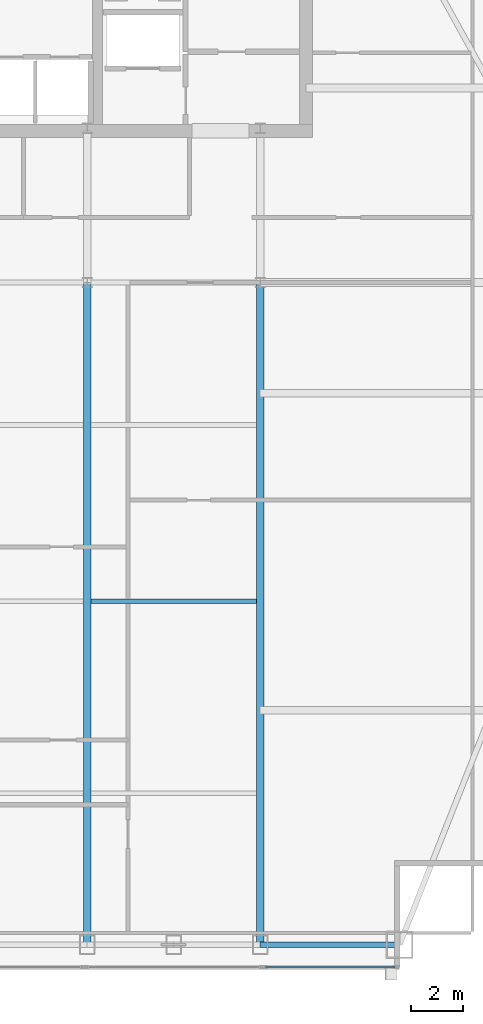
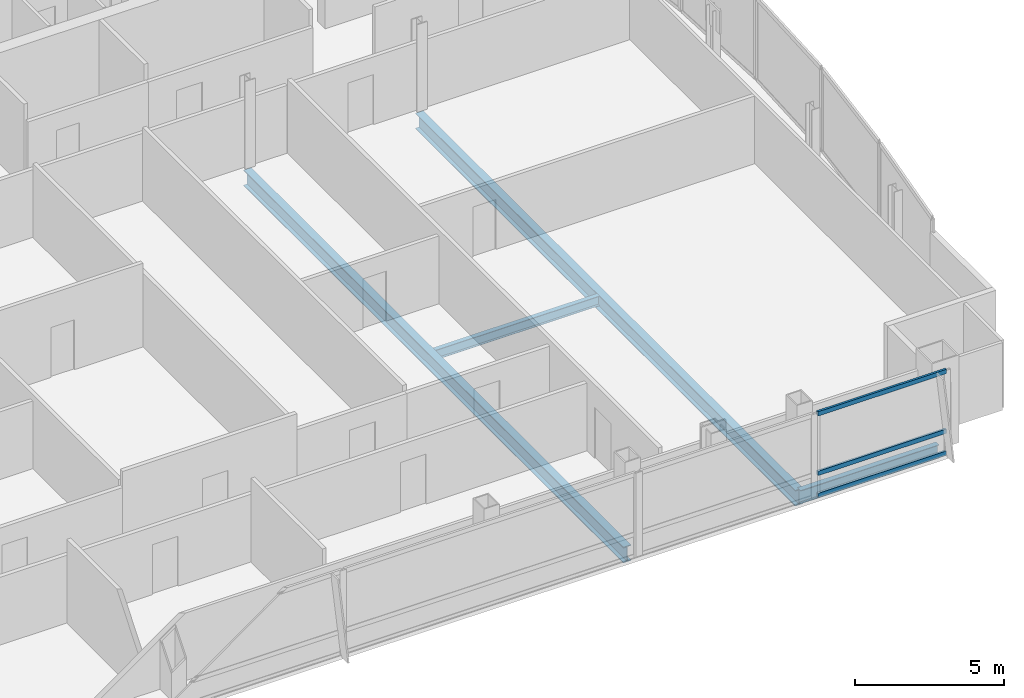
# One storey, part 15 of 30: 4 beams, 3 members, 1 element without a shape of its own.
"""IFC4 building model written with IfcOpenShell, lengths in metres."""

import ifcopenshell
import ifcopenshell.guid

model = None  # the IFC model being written
_history = None  # IfcOwnerHistory: only IFC2X3 demands one
_inside = {}  # id of a spatial element -> (the spatial element, [elements in it])
_under = {}  # id of a project, library or spatial element -> (it, [spatial elements below it])
_declared = {}  # id of a project -> (the project, [libraries it declares])
_typed = {}  # id of a type object -> (the type object, [elements of that type])
_made_of = {}  # id of a material, layer set ... -> (it, [elements and type objects made of it])


def new_model(schema):
    """Start an empty IFC model of exactly this schema.

    Asked for "IFC4X3", IfcOpenShell would pick the latest addendum, in which some entities
    have other attributes; the version numbers below select the first issue.
    IFC2X3 requires an IfcOwnerHistory on every rooted entity: one is made here for all.
    """
    global model, _history
    if schema == "IFC4X3":
        model = ifcopenshell.file(schema_version=(4, 3, 0, 0))
    else:
        model = ifcopenshell.file(schema=schema)
    _inside.clear()
    _under.clear()
    _declared.clear()
    _typed.clear()
    _made_of.clear()
    _history = None
    if model.schema == "IFC2X3":
        org = make("IfcOrganization", Name="unknown")
        user = make(
            "IfcPersonAndOrganization",
            ThePerson=make("IfcPerson", FamilyName="unknown"),
            TheOrganization=org,
        )
        app = make(
            "IfcApplication",
            ApplicationDeveloper=org,
            Version="unknown",
            ApplicationFullName="unknown",
            ApplicationIdentifier="unknown",
        )
        _history = make(
            "IfcOwnerHistory",
            OwningUser=user,
            OwningApplication=app,
            ChangeAction="ADDED",
            CreationDate=0,
        )
    return model


def make(cls, **values):
    """One entity of the class cls with the attributes given. An attribute that is None is left unset."""
    return model.create_entity(
        cls, **{name: value for name, value in values.items() if value is not None}
    )


def rooted(cls, **values):
    """An entity with a GlobalId (a new one), such as an element, a storey or a relation."""
    return make(cls, GlobalId=ifcopenshell.guid.new(), OwnerHistory=_history, **values)


def si_unit(unit_type, name, prefix=None):
    """IfcSIUnit, for example si_unit("LENGTHUNIT", "METRE", prefix="MILLI")."""
    return make("IfcSIUnit", UnitType=unit_type, Prefix=prefix, Name=name)


def assignment(units):
    """IfcUnitAssignment: the units of a project."""
    return None if units is None else make("IfcUnitAssignment", Units=units)


def point(xyz):
    """IfcCartesianPoint."""
    return None if xyz is None else make("IfcCartesianPoint", Coordinates=xyz)


def direction(xyz):
    """IfcDirection."""
    return None if xyz is None else make("IfcDirection", DirectionRatios=xyz)


def frame(location, z_axis=None, x_axis=None):
    """IfcAxis2Placement3D, a coordinate frame: its origin and axes. An axis left out is left unset."""
    return make(
        "IfcAxis2Placement3D",
        Location=point(location),
        Axis=direction(z_axis),
        RefDirection=direction(x_axis),
    )


def frame_2d(location, x_axis=None):
    """IfcAxis2Placement2D, a coordinate frame in the plane: its origin and x axis."""
    return make(
        "IfcAxis2Placement2D", Location=point(location), RefDirection=direction(x_axis)
    )


def origin():
    """The frame at (0, 0, 0) with its axes left unset."""
    return frame((0.0, 0.0, 0.0))


def origin_2d():
    """The frame at (0, 0) in the plane with its x axis left unset."""
    return frame_2d((0.0, 0.0))


def place(relative_to, where):
    """IfcLocalPlacement: puts the frame where relative to a parent placement (None: the world)."""
    return make(
        "IfcLocalPlacement", PlacementRelTo=relative_to, RelativePlacement=where
    )


def context(
    kind, dimensions, precision=None, world=None, true_north=None, identifier=None
):
    """IfcGeometricRepresentationContext, for example the 3D "Model" context."""
    return make(
        "IfcGeometricRepresentationContext",
        ContextIdentifier=identifier,
        ContextType=kind,
        CoordinateSpaceDimension=dimensions,
        Precision=precision,
        WorldCoordinateSystem=world,
        TrueNorth=true_north,
    )


def subcontext(parent, identifier, kind, view, scale=None):
    """IfcGeometricRepresentationSubContext, for example "Body" below "Model"."""
    return make(
        "IfcGeometricRepresentationSubContext",
        ContextIdentifier=identifier,
        ContextType=kind,
        ParentContext=parent,
        TargetScale=scale,
        TargetView=view,
    )


def project(units=None, contexts=None):
    """IfcProject with its units and contexts."""
    return rooted(
        "IfcProject",
        Name="project",
        RepresentationContexts=contexts,
        UnitsInContext=assignment(units),
    )


def spatial(cls, under=None, at=None, **own):
    """A site, building, storey or space (cls), placed at a placement, below another one or the project."""
    s = rooted(cls, ObjectPlacement=at, **own)
    if under is not None:
        _under.setdefault(under.id(), (under, []))[1].append(s)
    return s


def profile(cls, at=None, kind="AREA", **sizes):
    """A parametric profile (cls). Its sizes go by their IFC names, for example OverallWidth=200.0."""
    return make(cls, ProfileType=kind, Position=at, **sizes)


def hollow_rectangle(**sizes):
    """IfcRectangleHollowProfileDef."""
    return profile("IfcRectangleHollowProfileDef", **sizes)


def i_section(**sizes):
    """IfcIShapeProfileDef."""
    return profile("IfcIShapeProfileDef", **sizes)


def extrude(swept, where, along, depth):
    """IfcExtrudedAreaSolid: the profile swept, set in the frame where, extruded along a direction by depth."""
    return make(
        "IfcExtrudedAreaSolid",
        SweptArea=swept,
        Position=where,
        ExtrudedDirection=direction(along),
        Depth=depth,
    )


def shape(context_of_items, identifier, shape_type, items):
    """IfcShapeRepresentation: the items that make up one representation, for example the "Body"."""
    return make(
        "IfcShapeRepresentation",
        ContextOfItems=context_of_items,
        RepresentationIdentifier=identifier,
        RepresentationType=shape_type,
        Items=items,
    )


def material(Name=None, Category=None):
    """IfcMaterial."""
    return make("IfcMaterial", Name=Name, Category=Category)


def material_profile(
    of_material, cross_section, Name=None, Category=None, Priority=None
):
    """IfcMaterialProfile: a cross section and its material."""
    return make(
        "IfcMaterialProfile",
        Name=Name,
        Material=of_material,
        Profile=cross_section,
        Priority=Priority,
        Category=Category,
    )


def profile_set(profiles, Name=None, composite=None):
    """IfcMaterialProfileSet."""
    return make(
        "IfcMaterialProfileSet",
        Name=Name,
        MaterialProfiles=profiles,
        CompositeProfile=composite,
    )


def made_of(thing, what):
    """Note that an element or type object is made of a material, layer set ...; save() writes the relation."""
    if what is not None:
        _made_of.setdefault(what.id(), (what, []))[1].append(thing)
    return thing


def type_object(cls, material=None, **own):
    """A type object (cls), such as IfcWallType, which elements share."""
    return made_of(rooted(cls, **own), material)


def element(
    cls,
    number,
    at=None,
    inside=None,
    cuts=None,
    type_object=None,
    material=None,
    context=None,
    identifier="Body",
    shape_type=None,
    held_by="IfcProductDefinitionShape",
    body=None,
    shapes=None,
    **own,
):
    """One element of the class cls, such as IfcWall. Its Tag is "e" and its number.

    at: its placement. inside: the storey or other place that contains it. cuts: it is an
    opening in that element (IfcRelVoidsElement). A single representation is given by context,
    identifier, shape_type and body (its items); several are given by shapes. held_by: the class
    of the entity that holds the representations. save() writes the other relations.
    """
    e = rooted(cls, Tag="e%d" % number, ObjectPlacement=at, **own)
    if body is not None:
        shapes = [shape(context, identifier, shape_type, body)]
    if shapes is not None:
        e.Representation = make(held_by, Representations=shapes)
    if inside is not None:
        _inside.setdefault(inside.id(), (inside, []))[1].append(e)
    if cuts is not None:
        rooted(
            "IfcRelVoidsElement", RelatingBuildingElement=cuts, RelatedOpeningElement=e
        )
    if type_object is not None:
        _typed.setdefault(type_object.id(), (type_object, []))[1].append(e)
    return made_of(e, material)


def aggregate(whole, parts):
    """IfcRelAggregates: a whole, such as a stair, and the parts it consists of."""
    return rooted("IfcRelAggregates", RelatingObject=whole, RelatedObjects=parts)


def save(model, path):
    """Write the relations noted so far, then the file.

    IfcRelAggregates (storeys below a building ...), IfcRelContainedInSpatialStructure (elements
    in a storey), IfcRelDefinesByType, IfcRelAssociatesMaterial and IfcRelDeclares: one each for
    every whole, place, type object, material and project.
    """
    for whole, parts in _under.values():
        aggregate(whole, parts)
    for where, things in _inside.values():
        rooted(
            "IfcRelContainedInSpatialStructure",
            RelatedElements=things,
            RelatingStructure=where,
        )
    for kind, things in _typed.values():
        rooted("IfcRelDefinesByType", RelatedObjects=things, RelatingType=kind)
    for what, things in _made_of.values():
        rooted("IfcRelAssociatesMaterial", RelatedObjects=things, RelatingMaterial=what)
    for by, libraries in _declared.values():
        rooted("IfcRelDeclares", RelatingContext=by, RelatedDefinitions=libraries)
    model.write(path)


model = new_model("IFC4")

# Units and contexts
model_context = context("Model", 3, precision=1e-05, world=origin(), true_north=direction((0.0, 1.0)))
body_context = subcontext(model_context, "Body", "Model", "MODEL_VIEW")
ifc_project = project(units=[si_unit("LENGTHUNIT", "METRE"), si_unit("AREAUNIT", "SQUARE_METRE"), si_unit("VOLUMEUNIT", "CUBIC_METRE"), si_unit("PLANEANGLEUNIT", "RADIAN"), si_unit("MASSUNIT", "GRAM", prefix="KILO")], contexts=[model_context])

# Site, building, storey
site_placement = place(None, origin())
site = spatial("IfcSite", under=ifc_project, at=site_placement, CompositionType="ELEMENT")
building_placement = place(site_placement, origin())
building = spatial("IfcBuilding", under=site, at=building_placement, Name="Khoronbel Lancet Exchange", CompositionType="ELEMENT")
storey_placement = place(building_placement, frame((0.0, 0.0, 280.60009765625)))
storey = spatial("IfcBuildingStorey", under=building, at=storey_placement, Name="L72", CompositionType="ELEMENT", Elevation=280.60009765625)

# Beams
ifc_material_1 = material(Name="Steel S355", Category="steel")
ifc_material_profile_1 = material_profile(ifc_material_1, i_section(OverallWidth=0.300048828125, OverallDepth=0.64990234375, WebThickness=0.01611328125, FlangeThickness=0.031005859375, at=origin_2d()), Name="HEB 650")
ifc_profile_set_1 = profile_set([ifc_material_profile_1], Name="Steel S355")
beam_type_1 = type_object("IfcBeamType", Name="BM-BG4", PredefinedType="BEAM", material=ifc_profile_set_1)
for number, where, z_axis, x_axis, name in (
    (1, (48.0, 10.14990234375, -0.485107421875), (0.0, 1.0, 0.0), (-1.0, 0.0, 0.0), "Level L72 south primary girder GS5"),
    (2, (54.675048828125, 10.14990234375, -0.485107421875), (0.0, 1.0, 0.0), (-1.0, 0.0, 0.0), "Level L72 south primary girder GS6"),
):
    element("IfcBeam", number, at=place(storey_placement, frame(where, z_axis=z_axis, x_axis=x_axis)), inside=storey, type_object=beam_type_1, Name=name, PredefinedType="BEAM", context=body_context, shape_type="SweptSolid", body=[
        extrude(i_section(OverallWidth=0.300048828125, OverallDepth=0.64990234375, WebThickness=0.01611328125, FlangeThickness=0.031005859375, at=origin_2d()), origin(), (0.0, 0.0, 1.0), 25.550048828125),
    ])
ifc_material_profile_2 = material_profile(ifc_material_1, i_section(OverallWidth=0.179931640625, OverallDepth=0.39990234375, WebThickness=0.008544921875, FlangeThickness=0.013427734375, at=origin_2d()), Name="IPE 400")
ifc_profile_set_2 = profile_set([ifc_material_profile_2], Name="Steel S355")
beam_type_2 = type_object("IfcBeamType", Name="BM-BJ5", PredefinedType="JOIST", material=ifc_profile_set_2)
beam_1_placement = place(storey_placement, frame((48.14990234375, 23.39990234375, -0.360107421875), z_axis=(1.0, 0.0, 0.0), x_axis=(0.0, 1.0, 0.0)))
element("IfcBeam", 3, at=beam_1_placement, inside=storey, type_object=beam_type_2, Name="Level L72 secondary composite joist J10", PredefinedType="JOIST", context=body_context, shape_type="SweptSolid", body=[
    extrude(i_section(OverallWidth=0.179931640625, OverallDepth=0.39990234375, WebThickness=0.008544921875, FlangeThickness=0.013427734375, at=origin_2d()), origin(), (0.0, 0.0, 1.0), 6.375),
])
ifc_material_profile_3 = material_profile(ifc_material_1, i_section(OverallWidth=0.2099609375, OverallDepth=0.550048828125, WebThickness=0.010986328125, FlangeThickness=0.01708984375, at=origin_2d()), Name="IPE 550")
ifc_profile_set_3 = profile_set([ifc_material_profile_3], Name="Steel S355")
beam_type_3 = type_object("IfcBeamType", Name="BM-BSP3", PredefinedType="SPANDREL", material=ifc_profile_set_3)
beam_2_placement = place(storey_placement, frame((54.675048828125, 10.14990234375, -0.43505859375), z_axis=(1.0, 0.0, 0.0), x_axis=(0.0, 1.0, 0.0)))
element("IfcBeam", 4, at=beam_2_placement, inside=storey, type_object=beam_type_3, Name="Level L72 perimeter spandrel beam SP09", PredefinedType="SPANDREL", context=body_context, shape_type="SweptSolid", body=[
    extrude(i_section(OverallWidth=0.2099609375, OverallDepth=0.550048828125, WebThickness=0.010986328125, FlangeThickness=0.01708984375, at=origin_2d()), origin(), (0.0, 0.0, 1.0), 5.375),
])

# Curtain wall, members
ifc_material_2 = material(Name="Low-E Solar Control Insulating Glass", Category="glass")
curtain_wall_type = type_object("IfcCurtainWallType", Name="CW-3", PredefinedType="NOTDEFINED", material=ifc_material_2)
curtain_wall_placement = place(storey_placement, origin())
curtain_wall = element("IfcCurtainWall", 5, at=curtain_wall_placement, inside=storey, type_object=curtain_wall_type, Name="Unitised curtain wall CW-L72-SEV", PredefinedType="NOTDEFINED")
ifc_material_3 = material(Name="Bronze-Anodised Aluminium 6063-T6", Category="aluminium")
ifc_material_profile_4 = material_profile(ifc_material_3, hollow_rectangle(XDim=0.0849609375, YDim=0.179931640625, WallThickness=0.0048828125, at=origin_2d()), Name="ALU TRANSOM 85x180")
ifc_profile_set_4 = profile_set([ifc_material_profile_4], Name="Bronze-Anodised Aluminium 6063-T6")
member_type = type_object("IfcMemberType", Name="MEM-CWT1", PredefinedType="USERDEFINED", material=ifc_profile_set_4)
member_1_placement = place(storey_placement, frame((54.885009765625, 9.2900390625, 0.04248046875), z_axis=(1.0, 0.0, 0.0), x_axis=(0.0, 1.0, 0.0)))
member_1 = element("IfcMember", 6, at=member_1_placement, type_object=member_type, Name="CW3 transom 1.1", ObjectType="TRANSOM", PredefinedType="USERDEFINED", context=body_context, shape_type="SweptSolid", body=[
    extrude(hollow_rectangle(XDim=0.0849609375, YDim=0.179931640625, WallThickness=0.0048828125, at=origin_2d()), origin(), (0.0, 0.0, 1.0), 4.989990234375),
])
member_2_placement = place(storey_placement, frame((54.885009765625, 9.2900390625, 0.949951171875), z_axis=(1.0, 0.0, 0.0), x_axis=(0.0, 1.0, 0.0)))
member_2 = element("IfcMember", 7, at=member_2_placement, type_object=member_type, Name="CW3 transom 1.2", ObjectType="TRANSOM", PredefinedType="USERDEFINED", context=body_context, shape_type="SweptSolid", body=[
    extrude(hollow_rectangle(XDim=0.0849609375, YDim=0.179931640625, WallThickness=0.0048828125, at=origin_2d()), origin(), (0.0, 0.0, 1.0), 4.989990234375),
])
member_3_placement = place(storey_placement, frame((54.885009765625, 9.2900390625, 3.3974609375), z_axis=(1.0, 0.0, 0.0), x_axis=(0.0, 1.0, 0.0)))
member_3 = element("IfcMember", 8, at=member_3_placement, type_object=member_type, Name="CW3 transom 1.3", ObjectType="TRANSOM", PredefinedType="USERDEFINED", context=body_context, shape_type="SweptSolid", body=[
    extrude(hollow_rectangle(XDim=0.0849609375, YDim=0.179931640625, WallThickness=0.0048828125, at=origin_2d()), origin(), (0.0, 0.0, 1.0), 4.989990234375),
])
aggregate(curtain_wall, [member_1, member_2, member_3])

save(model, "model.ifc")
